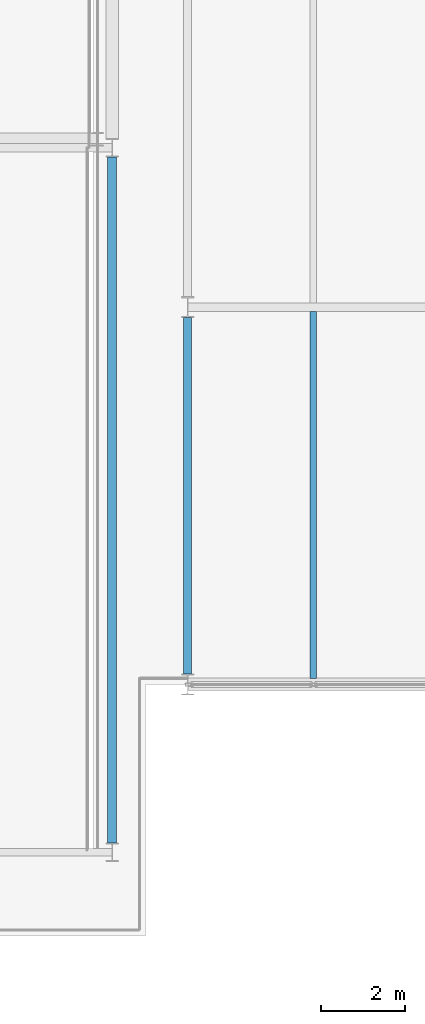
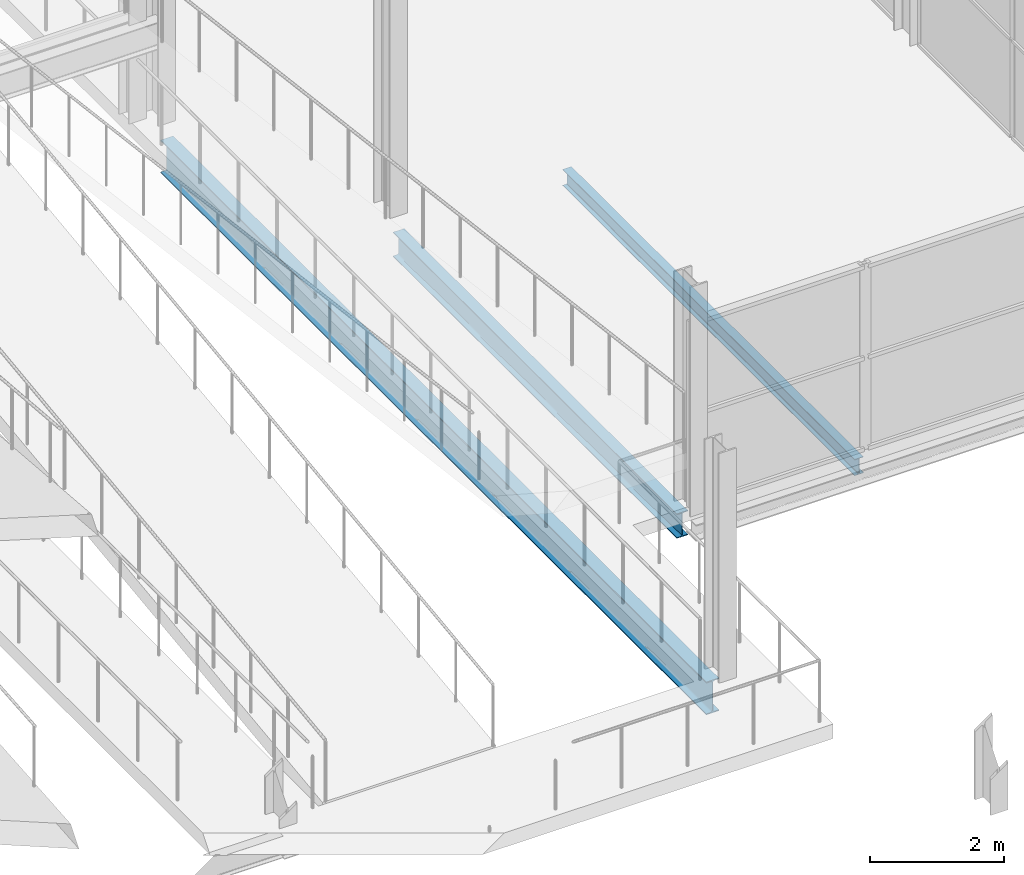
# One storey, part 21 of 103: 3 beams.
"""IFC4 building model written with IfcOpenShell, lengths in metres."""

from ifc_helpers import new_model, si_unit, direction, frame, origin, origin_2d, place, context, subcontext, project, spatial, i_section, extrude, material, material_profile, profile_set, type_object, element, save


model = new_model("IFC4")

# Units and contexts
model_context = context("Model", 3, precision=1e-05, world=origin(), true_north=direction((0.0, 1.0)))
body_context = subcontext(model_context, "Body", "Model", "MODEL_VIEW")
ifc_project = project(units=[si_unit("LENGTHUNIT", "METRE"), si_unit("AREAUNIT", "SQUARE_METRE"), si_unit("VOLUMEUNIT", "CUBIC_METRE"), si_unit("PLANEANGLEUNIT", "RADIAN"), si_unit("MASSUNIT", "GRAM", prefix="KILO")], contexts=[model_context])

# Site, building, storey
site_placement = place(None, origin())
site = spatial("IfcSite", under=ifc_project, at=site_placement, CompositionType="ELEMENT")
building_placement = place(site_placement, origin())
building = spatial("IfcBuilding", under=site, at=building_placement, Name="Deido Ridge Mobility Hub", CompositionType="ELEMENT")
storey_placement = place(building_placement, frame((0.0, 0.0, 12.60009765625)))
storey = spatial("IfcBuildingStorey", under=building, at=storey_placement, Name="L03", CompositionType="ELEMENT", Elevation=12.60009765625)

# Beams
ifc_material = material(Name="Steel S355J2 EN 10025-2", Category="steel")
ifc_material_profile_1 = material_profile(ifc_material, i_section(OverallWidth=0.18994140625, OverallDepth=0.449951171875, WebThickness=0.009521484375, FlangeThickness=0.0146484375, FilletRadius=0.02099609375, at=origin_2d()), Name="IPE 450")
ifc_profile_set_1 = profile_set([ifc_material_profile_1], Name="Steel S355J2 EN 10025-2")
beam_type_1 = type_object("IfcBeamType", Name="BM-IPE450", PredefinedType="BEAM", material=ifc_profile_set_1)
beam_1_placement = place(storey_placement, frame((99.0, 54.25, -0.489990234375), z_axis=(0.0, 1.0, 0.0), x_axis=(-1.0, 0.0, 0.0)))
element("IfcBeam", 1, at=beam_1_placement, inside=storey, type_object=beam_type_1, Name="Floor beam B4", PredefinedType="BEAM", context=body_context, shape_type="SweptSolid", body=[
    extrude(i_section(OverallWidth=0.18994140625, OverallDepth=0.449951171875, WebThickness=0.009521484375, FlangeThickness=0.0146484375, FilletRadius=0.02099609375, at=origin_2d()), origin(), (0.0, 0.0, 1.0), 8.5),
])
ifc_material_profile_2 = material_profile(ifc_material, i_section(OverallWidth=0.219970703125, OverallDepth=0.60009765625, WebThickness=0.011962890625, FlangeThickness=0.01904296875, FilletRadius=0.02392578125, at=origin_2d()), Name="IPE 600")
ifc_profile_set_2 = profile_set([ifc_material_profile_2], Name="Steel S355J2 EN 10025-2")
beam_type_2 = type_object("IfcBeamType", Name="BM-IPE600", PredefinedType="BEAM", material=ifc_profile_set_2)
beam_2_placement = place(storey_placement, frame((97.199951171875, 50.22509765625, -0.565185546875), z_axis=(0.0, 1.0, 0.0), x_axis=(-1.0, 0.0, 0.0)))
element("IfcBeam", 2, at=beam_2_placement, inside=storey, type_object=beam_type_2, Name="Floor beam B1", PredefinedType="BEAM", context=body_context, shape_type="SweptSolid", body=[
    extrude(i_section(OverallWidth=0.219970703125, OverallDepth=0.60009765625, WebThickness=0.011962890625, FlangeThickness=0.01904296875, FilletRadius=0.02392578125, at=origin_2d()), origin(), (0.0, 0.0, 1.0), 16.349853515625),
])
ifc_material_profile_3 = material_profile(ifc_material, i_section(OverallWidth=0.14990234375, OverallDepth=0.300048828125, WebThickness=0.007080078125, FlangeThickness=0.0107421875, FilletRadius=0.014892578125, at=origin_2d()), Name="IPE 300")
ifc_profile_set_3 = profile_set([ifc_material_profile_3], Name="Steel S355J2 EN 10025-2")
beam_type_3 = type_object("IfcBeamType", Name="JST-IPE300", PredefinedType="JOIST", material=ifc_profile_set_3)
beam_3_placement = place(storey_placement, frame((102.0, 54.14990234375, -0.4150390625), z_axis=(0.0, 1.0, 0.0), x_axis=(-1.0, 0.0, 0.0)))
element("IfcBeam", 3, at=beam_3_placement, inside=storey, type_object=beam_type_3, Name="Composite joist J3", PredefinedType="JOIST", context=body_context, shape_type="SweptSolid", body=[
    extrude(i_section(OverallWidth=0.14990234375, OverallDepth=0.300048828125, WebThickness=0.007080078125, FlangeThickness=0.0107421875, FilletRadius=0.014892578125, at=origin_2d()), origin(), (0.0, 0.0, 1.0), 8.75),
])

save(model, "model.ifc")
